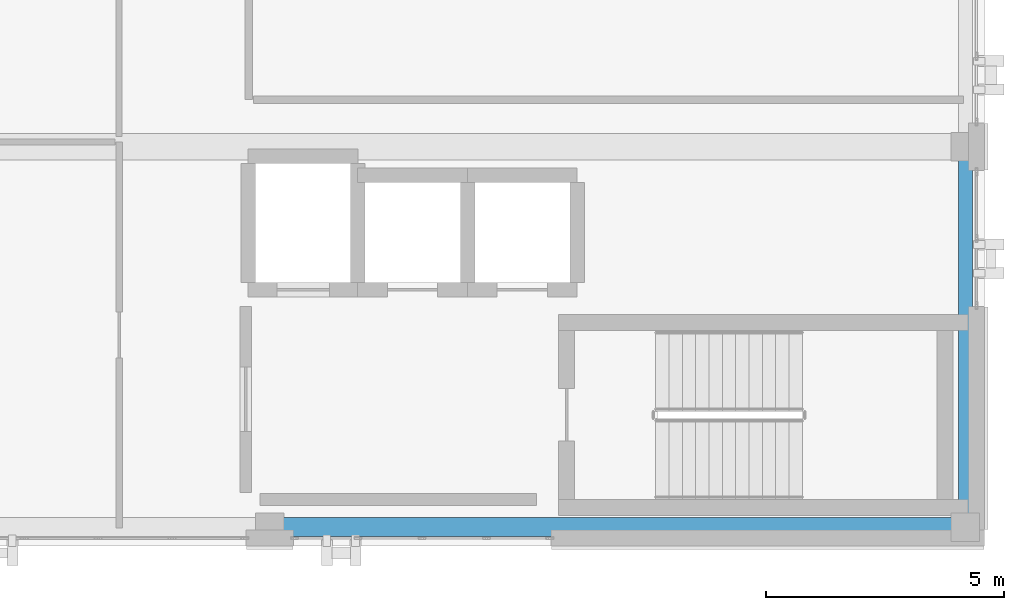
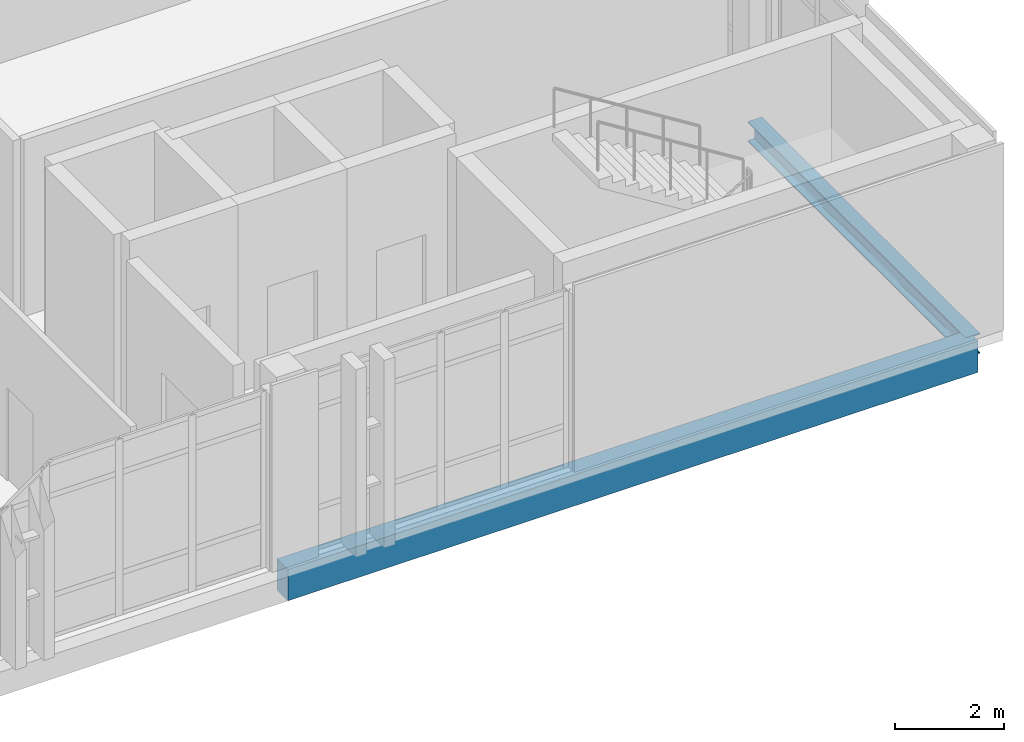
# One storey, part 8 of 22: 2 beams.
"""IFC4 building model written with IfcOpenShell, lengths in metres."""

from ifc_helpers import new_model, si_unit, direction, frame, origin, origin_2d, place, context, subcontext, project, spatial, rectangle, i_section, extrude, material, material_profile, profile_set, type_object, element, save


model = new_model("IFC4")

# Units and contexts
model_context = context("Model", 3, precision=1e-05, world=origin(), true_north=direction((0.0, 1.0)))
body_context = subcontext(model_context, "Body", "Model", "MODEL_VIEW")
ifc_project = project(units=[si_unit("LENGTHUNIT", "METRE"), si_unit("AREAUNIT", "SQUARE_METRE"), si_unit("VOLUMEUNIT", "CUBIC_METRE"), si_unit("PLANEANGLEUNIT", "RADIAN"), si_unit("MASSUNIT", "GRAM", prefix="KILO")], contexts=[model_context])

# Site, building, storey
site_placement = place(None, origin())
site = spatial("IfcSite", under=ifc_project, at=site_placement, CompositionType="ELEMENT")
building_placement = place(site_placement, origin())
building = spatial("IfcBuilding", under=site, at=building_placement, Name="Qalavern Law Courts", CompositionType="ELEMENT")
storey_placement = place(building_placement, frame((0.0, 0.0, 35.39990234375)))
storey = spatial("IfcBuildingStorey", under=building, at=storey_placement, Name="L08", CompositionType="ELEMENT", Elevation=35.39990234375)

# Beams
ifc_material_1 = material(Name="Steel S355", Category="steel")
ifc_material_profile_1 = material_profile(ifc_material_1, i_section(OverallWidth=0.300048828125, OverallDepth=0.449951171875, WebThickness=0.013916015625, FlangeThickness=0.02587890625, FilletRadius=0.027099609375, at=origin_2d()), Name="HEB 450")
ifc_profile_set_1 = profile_set([ifc_material_profile_1], Name="Steel S355")
beam_type_1 = type_object("IfcBeamType", Name="STR-SP-HEB450", PredefinedType="SPANDREL", material=ifc_profile_set_1)
beam_1_placement = place(storey_placement, frame((106.39990234375, 41.419921875, -0.48486328125), z_axis=(0.0, 1.0, 0.0), x_axis=(-1.0, 0.0, 0.0)))
element("IfcBeam", 1, at=beam_1_placement, inside=storey, type_object=beam_type_1, Name="V4 Y-beam 3-1 L08", PredefinedType="SPANDREL", context=body_context, shape_type="SweptSolid", body=[
    extrude(i_section(OverallWidth=0.300048828125, OverallDepth=0.449951171875, WebThickness=0.013916015625, FlangeThickness=0.02587890625, FilletRadius=0.027099609375, at=origin_2d()), origin(), (0.0, 0.0, 1.0), 7.97998046875),
])
ifc_material_2 = material(Name="Concrete C40/50", Category="concrete")
ifc_material_profile_2 = material_profile(ifc_material_2, rectangle(XDim=0.39990234375, YDim=0.699951171875, at=origin_2d()), Name="RC 400x700")
ifc_profile_set_2 = profile_set([ifc_material_profile_2], Name="Concrete C40/50")
beam_type_2 = type_object("IfcBeamType", Name="STR-SP-RC400x700", PredefinedType="SPANDREL", material=ifc_profile_set_2)
beam_2_placement = place(storey_placement, frame((91.800048828125, 41.419921875, -0.60986328125), z_axis=(1.0, 0.0, 0.0), x_axis=(0.0, 1.0, 0.0)))
element("IfcBeam", 2, at=beam_2_placement, inside=storey, type_object=beam_type_2, Name="V4 X-beam 1-2 L08", PredefinedType="SPANDREL", context=body_context, shape_type="SweptSolid", body=[
    extrude(rectangle(XDim=0.39990234375, YDim=0.699951171875, at=origin_2d()), origin(), (0.0, 0.0, 1.0), 14.599853515625),
])

save(model, "model.ifc")
